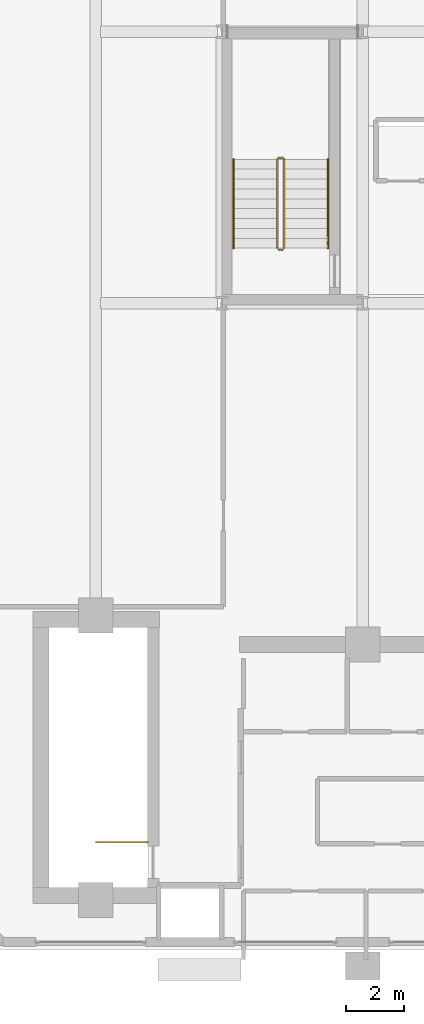
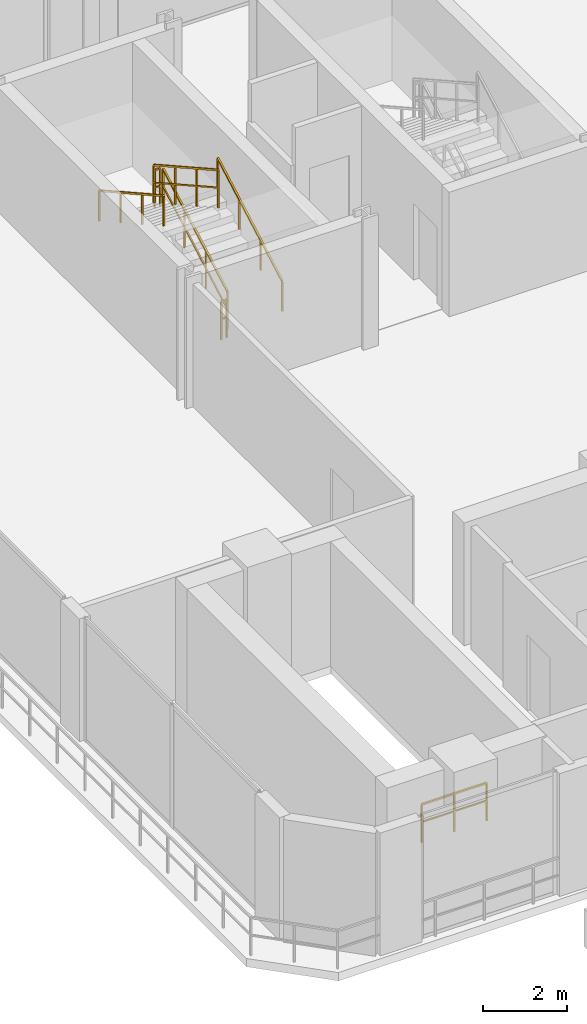
# One storey, part 24 of 26: 7 railings.
"""IFC4 building model written with IfcOpenShell, lengths in metres."""

from ifc_helpers import new_model, si_unit, direction, frame, origin, origin_2d, place, context, subcontext, project, spatial, rectangle, extrude, material, type_object, element, save


model = new_model("IFC4")

# Units and contexts
model_context = context("Model", 3, precision=1e-05, world=origin(), true_north=direction((0.0, 1.0)))
body_context = subcontext(model_context, "Body", "Model", "MODEL_VIEW")
ifc_project = project(units=[si_unit("LENGTHUNIT", "METRE"), si_unit("AREAUNIT", "SQUARE_METRE"), si_unit("VOLUMEUNIT", "CUBIC_METRE"), si_unit("PLANEANGLEUNIT", "RADIAN"), si_unit("MASSUNIT", "GRAM", prefix="KILO")], contexts=[model_context])

# Site, building, storey
site_placement = place(None, origin())
site = spatial("IfcSite", under=ifc_project, at=site_placement, CompositionType="ELEMENT")
building_placement = place(site_placement, origin())
building = spatial("IfcBuilding", under=site, at=building_placement, Name="Zuhayl Quay Hotel", CompositionType="ELEMENT")
storey_placement = place(building_placement, frame((0.0, 0.0, 301.050048828125)))
storey = spatial("IfcBuildingStorey", under=building, at=storey_placement, Name="Crown 2", CompositionType="ELEMENT", Elevation=301.050048828125)

# Railings
ifc_material = material(Name="Steel ASTM A992 Grade 50", Category="steel")
railing_type_1 = type_object("IfcRailingType", Name="RL_GUARD_1100", PredefinedType="GUARDRAIL", material=ifc_material)
railing_1_placement = place(storey_placement, frame((-12.0, 6.5400390625, 0.0)))
element("IfcRailing", 1, at=railing_1_placement, inside=storey, type_object=railing_type_1, Name="Crown 2 ST1 top well guard 1", PredefinedType="GUARDRAIL", context=body_context, shape_type="SweptSolid", body=[
    extrude(rectangle(XDim=0.048095703125, YDim=0.048095703125, at=origin_2d()), frame((0.0, 0.0, 1.09619140625), z_axis=(-1.0, 0.0, 0.0), x_axis=(0.0, -1.0, 0.0)), (0.0, 0.0, 1.0), 1.7900390625),
    extrude(rectangle(XDim=0.0361328125, YDim=0.0361328125, at=origin_2d()), frame((0.0, 0.0, 0.58251953125), z_axis=(-1.0, 0.0, 0.0), x_axis=(0.0, -1.0, 0.0)), (0.0, 0.0, 1.0), 1.7900390625),
    extrude(rectangle(XDim=0.0419921875, YDim=0.0419921875, at=origin_2d()), origin(), (0.0, 0.0, 1.0), 1.072021484375),
    extrude(rectangle(XDim=0.0419921875, YDim=0.0419921875, at=origin_2d()), frame((-0.89501953125, 0.0, 0.0)), (0.0, 0.0, 1.0), 1.072021484375),
    extrude(rectangle(XDim=0.0419921875, YDim=0.0419921875, at=origin_2d()), frame((-1.7900390625, 0.0, 0.0)), (0.0, 0.0, 1.0), 1.072021484375),
])
railing_2_placement = place(storey_placement, frame((-7.300048828125, 27.0, 0.18994140625)))
element("IfcRailing", 2, at=railing_2_placement, inside=storey, type_object=railing_type_1, Name="Crown 2 ST5 stair guard 1", PredefinedType="GUARDRAIL", context=body_context, shape_type="SweptSolid", body=[
    extrude(rectangle(XDim=0.048095703125, YDim=0.048095703125, at=origin_2d()), frame((0.0, 0.0, 1.09619140625), z_axis=(0.0, 0.872952205056, 0.487805747903), x_axis=(-1.0, 0.0, 0.0)), (0.0, 0.0, 1.0), 3.50537109375),
    extrude(rectangle(XDim=0.0361328125, YDim=0.0361328125, at=origin_2d()), frame((0.0, 0.0, 0.58251953125), z_axis=(0.0, 0.872952205056, 0.487805747903), x_axis=(-1.0, 0.0, 0.0)), (0.0, 0.0, 1.0), 3.50537109375),
    extrude(rectangle(XDim=0.0419921875, YDim=0.0419921875, at=origin_2d()), origin(), (0.0, 0.0, 1.0), 1.072021484375),
    extrude(rectangle(XDim=0.0419921875, YDim=0.0419921875, at=origin_2d()), frame((0.0, 1.02001953125, 0.570068359375)), (0.0, 0.0, 1.0), 1.072021484375),
    extrude(rectangle(XDim=0.0419921875, YDim=0.0419921875, at=origin_2d()), frame((0.0, 2.0400390625, 1.139892578125)), (0.0, 0.0, 1.0), 1.072021484375),
    extrude(rectangle(XDim=0.0419921875, YDim=0.0419921875, at=origin_2d()), frame((0.0, 3.06005859375, 1.7099609375)), (0.0, 0.0, 1.0), 1.072021484375),
])
railing_3_placement = place(storey_placement, frame((-7.35009765625, 30.110107421875, 1.89990234375)))
element("IfcRailing", 3, at=railing_3_placement, inside=storey, type_object=railing_type_1, Name="Crown 2 ST5 stair guard 2", PredefinedType="GUARDRAIL", context=body_context, shape_type="SweptSolid", body=[
    extrude(rectangle(XDim=0.048095703125, YDim=0.048095703125, at=origin_2d()), frame((0.0, 0.0, 1.09619140625), z_axis=(-1.0, 0.0, 0.0), x_axis=(0.0, -1.0, 0.0)), (0.0, 0.0, 1.0), 0.14990234375),
    extrude(rectangle(XDim=0.0361328125, YDim=0.0361328125, at=origin_2d()), frame((0.0, 0.0, 0.58251953125), z_axis=(-1.0, 0.0, 0.0), x_axis=(0.0, -1.0, 0.0)), (0.0, 0.0, 1.0), 0.14990234375),
    extrude(rectangle(XDim=0.0419921875, YDim=0.0419921875, at=origin_2d()), origin(), (0.0, 0.0, 1.0), 1.072021484375),
    extrude(rectangle(XDim=0.0419921875, YDim=0.0419921875, at=origin_2d()), frame((-0.14990234375, 0.0, 0.0)), (0.0, 0.0, 1.0), 1.072021484375),
])
railing_4_placement = place(storey_placement, frame((-7.550048828125, 30.06005859375, 2.08984375)))
element("IfcRailing", 4, at=railing_4_placement, inside=storey, type_object=railing_type_1, Name="Crown 2 ST5 stair guard 3", PredefinedType="GUARDRAIL", context=body_context, shape_type="SweptSolid", body=[
    extrude(rectangle(XDim=0.048095703125, YDim=0.048095703125, at=origin_2d()), frame((0.0, 0.0, 1.09619140625), z_axis=(0.0, -0.872922546704, 0.487858819185), x_axis=(1.0, 0.0, 0.0)), (0.0, 0.0, 1.0), 3.505615234375),
    extrude(rectangle(XDim=0.0361328125, YDim=0.0361328125, at=origin_2d()), frame((0.0, 0.0, 0.58251953125), z_axis=(0.0, -0.872922546704, 0.487858819185), x_axis=(1.0, 0.0, 0.0)), (0.0, 0.0, 1.0), 3.505615234375),
    extrude(rectangle(XDim=0.0419921875, YDim=0.0419921875, at=origin_2d()), origin(), (0.0, 0.0, 1.0), 1.072021484375),
    extrude(rectangle(XDim=0.0419921875, YDim=0.0419921875, at=origin_2d()), frame((0.0, -1.02001953125, 0.570068359375)), (0.0, 0.0, 1.0), 1.072021484375),
    extrude(rectangle(XDim=0.0419921875, YDim=0.0419921875, at=origin_2d()), frame((0.0, -2.0400390625, 1.14013671875)), (0.0, 0.0, 1.0), 1.072021484375),
    extrude(rectangle(XDim=0.0419921875, YDim=0.0419921875, at=origin_2d()), frame((0.0, -3.06005859375, 1.710205078125)), (0.0, 0.0, 1.0), 1.072021484375),
])
railing_5_placement = place(storey_placement, frame((-7.35009765625, 26.949951171875, 0.0)))
element("IfcRailing", 5, at=railing_5_placement, inside=storey, type_object=railing_type_1, Name="Crown 2 ST5 stair guard 4", PredefinedType="GUARDRAIL", context=body_context, shape_type="SweptSolid", body=[
    extrude(rectangle(XDim=0.048095703125, YDim=0.048095703125, at=origin_2d()), frame((0.0, 0.0, 1.09619140625), z_axis=(-1.0, 0.0, 0.0), x_axis=(0.0, -1.0, 0.0)), (0.0, 0.0, 1.0), 0.14990234375),
    extrude(rectangle(XDim=0.0361328125, YDim=0.0361328125, at=origin_2d()), frame((0.0, 0.0, 0.58251953125), z_axis=(-1.0, 0.0, 0.0), x_axis=(0.0, -1.0, 0.0)), (0.0, 0.0, 1.0), 0.14990234375),
    extrude(rectangle(XDim=0.0419921875, YDim=0.0419921875, at=origin_2d()), origin(), (0.0, 0.0, 1.0), 1.072021484375),
    extrude(rectangle(XDim=0.0419921875, YDim=0.0419921875, at=origin_2d()), frame((-0.14990234375, 0.0, 0.0)), (0.0, 0.0, 1.0), 1.072021484375),
])
railing_type_2 = type_object("IfcRailingType", Name="RL_HANDRAIL_920", PredefinedType="HANDRAIL", material=ifc_material)
railing_6_placement = place(storey_placement, frame((-5.800048828125, 27.0, 0.18994140625)))
element("IfcRailing", 6, at=railing_6_placement, inside=storey, type_object=railing_type_2, Name="Crown 2 ST5 stair handrail 1", PredefinedType="HANDRAIL", context=body_context, shape_type="SweptSolid", body=[
    extrude(rectangle(XDim=0.048095703125, YDim=0.048095703125, at=origin_2d()), frame((0.0, 0.0, 0.8759765625), z_axis=(0.0, 0.872952205056, 0.487805747903), x_axis=(-1.0, 0.0, 0.0)), (0.0, 0.0, 1.0), 3.50537109375),
    extrude(rectangle(XDim=0.0419921875, YDim=0.0419921875, at=origin_2d()), origin(), (0.0, 0.0, 1.0), 0.851806640625),
    extrude(rectangle(XDim=0.0419921875, YDim=0.0419921875, at=origin_2d()), frame((0.0, 1.02001953125, 0.570068359375)), (0.0, 0.0, 1.0), 0.851806640625),
    extrude(rectangle(XDim=0.0419921875, YDim=0.0419921875, at=origin_2d()), frame((0.0, 2.0400390625, 1.139892578125)), (0.0, 0.0, 1.0), 0.851806640625),
    extrude(rectangle(XDim=0.0419921875, YDim=0.0419921875, at=origin_2d()), frame((0.0, 3.06005859375, 1.7099609375)), (0.0, 0.0, 1.0), 0.851806640625),
])
railing_7_placement = place(storey_placement, frame((-9.050048828125, 30.06005859375, 2.08984375)))
element("IfcRailing", 7, at=railing_7_placement, inside=storey, type_object=railing_type_2, Name="Crown 2 ST5 stair handrail 2", PredefinedType="HANDRAIL", context=body_context, shape_type="SweptSolid", body=[
    extrude(rectangle(XDim=0.048095703125, YDim=0.048095703125, at=origin_2d()), frame((0.0, 0.0, 0.8759765625), z_axis=(0.0, -0.872922546704, 0.487858819185), x_axis=(1.0, 0.0, 0.0)), (0.0, 0.0, 1.0), 3.505615234375),
    extrude(rectangle(XDim=0.0419921875, YDim=0.0419921875, at=origin_2d()), origin(), (0.0, 0.0, 1.0), 0.851806640625),
    extrude(rectangle(XDim=0.0419921875, YDim=0.0419921875, at=origin_2d()), frame((0.0, -1.02001953125, 0.570068359375)), (0.0, 0.0, 1.0), 0.851806640625),
    extrude(rectangle(XDim=0.0419921875, YDim=0.0419921875, at=origin_2d()), frame((0.0, -2.0400390625, 1.14013671875)), (0.0, 0.0, 1.0), 0.851806640625),
    extrude(rectangle(XDim=0.0419921875, YDim=0.0419921875, at=origin_2d()), frame((0.0, -3.06005859375, 1.710205078125)), (0.0, 0.0, 1.0), 0.851806640625),
])

save(model, "model.ifc")
